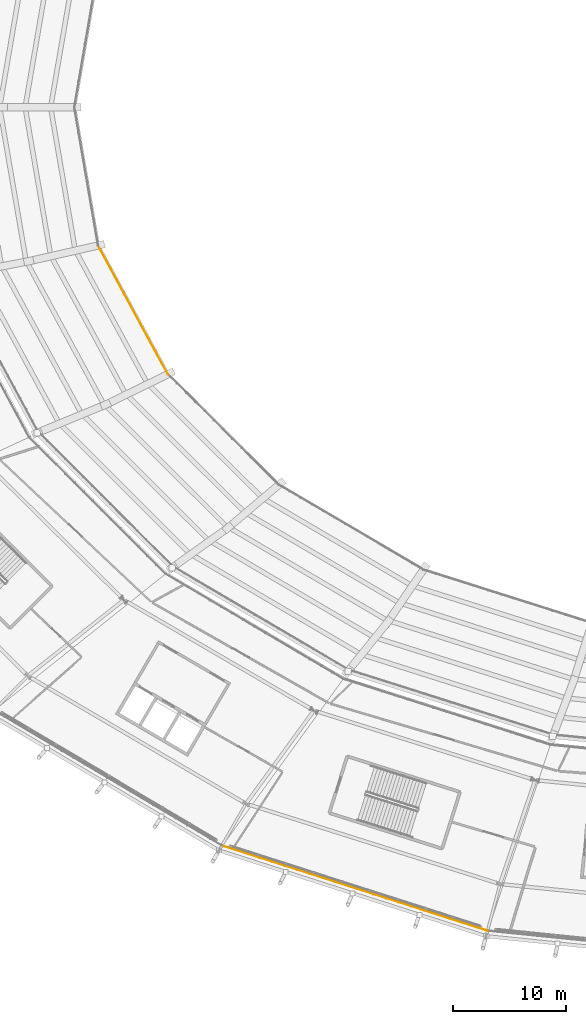
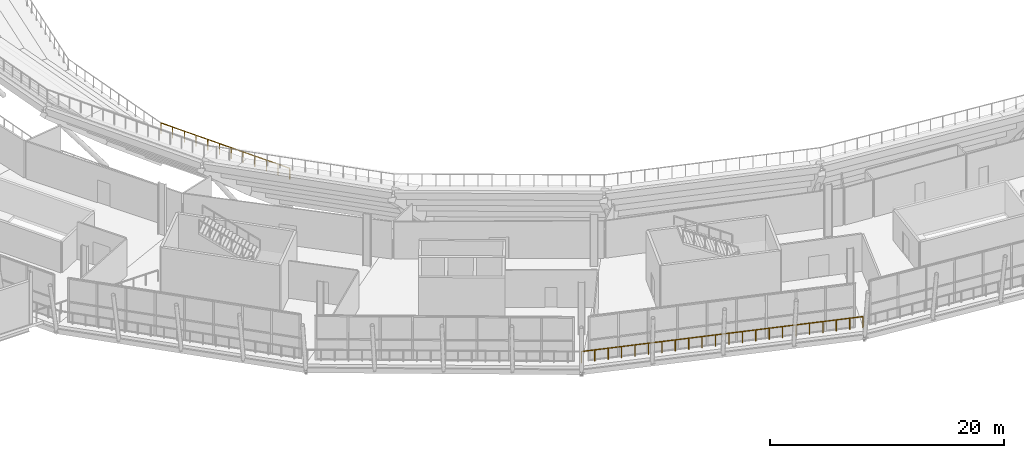
# One storey, part 108 of 126: 2 railings.
"""IFC4 building model written with IfcOpenShell, lengths in metres."""

from ifc_helpers import new_model, si_unit, direction, frame, origin, origin_2d, place, context, subcontext, project, spatial, rectangle, extrude, material, type_object, element, save


model = new_model("IFC4")

# Units and contexts
model_context = context("Model", 3, precision=1e-05, world=origin(), true_north=direction((0.0, 1.0)))
body_context = subcontext(model_context, "Body", "Model", "MODEL_VIEW")
ifc_project = project(units=[si_unit("LENGTHUNIT", "METRE"), si_unit("AREAUNIT", "SQUARE_METRE"), si_unit("VOLUMEUNIT", "CUBIC_METRE"), si_unit("PLANEANGLEUNIT", "RADIAN"), si_unit("MASSUNIT", "GRAM", prefix="KILO")], contexts=[model_context])

# Site, building, storey
site_placement = place(None, origin())
site = spatial("IfcSite", under=ifc_project, at=site_placement, CompositionType="ELEMENT")
building_placement = place(site_placement, origin())
building = spatial("IfcBuilding", under=site, at=building_placement, Name="Zlatoyarsky Gate Stadium", CompositionType="ELEMENT")
storey_placement = place(building_placement, frame((0.0, 0.0, 20.800048828125)))
storey = spatial("IfcBuildingStorey", under=building, at=storey_placement, Name="L04", CompositionType="ELEMENT", Elevation=20.800048828125)

# Railings
ifc_material_1 = material(Name="Galvanised steel sightline guardrail", Category="steel")
railing_type_1 = type_object("IfcRailingType", Name="BOWL FRONT SIGHTLINE GUARDRAIL 1150", PredefinedType="GUARDRAIL", material=ifc_material_1)
railing_1_placement = place(storey_placement, frame((51.45068359375, 67.796630859375, -4.400146484375)))
element("IfcRailing", 1, at=railing_1_placement, inside=storey, type_object=railing_type_1, Name="Upper bowl front guardrail 13", PredefinedType="GUARDRAIL", context=body_context, shape_type="SweptSolid", body=[
    extrude(rectangle(XDim=0.048095703125, YDim=0.048095703125, at=origin_2d()), frame((0.0, 0.0, 1.1259765625), z_axis=(0.476243009473, -0.879313707347, 0.0), x_axis=(0.879313707347, 0.476243009473, 0.0)), (0.0, 0.0, 1.0), 12.932373046875),
    extrude(rectangle(XDim=0.0419921875, YDim=0.0419921875, at=origin_2d()), origin(), (0.0, 0.0, 1.0), 1.101806640625),
    extrude(rectangle(XDim=0.0419921875, YDim=0.0419921875, at=origin_2d()), frame((0.559814453125, -1.03369140625, 0.0)), (0.0, 0.0, 1.0), 1.101806640625),
    extrude(rectangle(XDim=0.0419921875, YDim=0.0419921875, at=origin_2d()), frame((1.119873046875, -2.067626953125, 0.0)), (0.0, 0.0, 1.0), 1.101806640625),
    extrude(rectangle(XDim=0.0419921875, YDim=0.0419921875, at=origin_2d()), frame((1.6796875, -3.101318359375, 0.0)), (0.0, 0.0, 1.0), 1.101806640625),
    extrude(rectangle(XDim=0.0419921875, YDim=0.0419921875, at=origin_2d()), frame((2.239501953125, -4.135009765625, 0.0)), (0.0, 0.0, 1.0), 1.101806640625),
    extrude(rectangle(XDim=0.0419921875, YDim=0.0419921875, at=origin_2d()), frame((2.799560546875, -5.1689453125, 0.0)), (0.0, 0.0, 1.0), 1.101806640625),
    extrude(rectangle(XDim=0.0419921875, YDim=0.0419921875, at=origin_2d()), frame((3.359375, -6.20263671875, 0.0)), (0.0, 0.0, 1.0), 1.101806640625),
    extrude(rectangle(XDim=0.0419921875, YDim=0.0419921875, at=origin_2d()), frame((3.91943359375, -7.236572265625, 0.0)), (0.0, 0.0, 1.0), 1.101806640625),
    extrude(rectangle(XDim=0.0419921875, YDim=0.0419921875, at=origin_2d()), frame((4.479248046875, -8.270263671875, 0.0)), (0.0, 0.0, 1.0), 1.101806640625),
    extrude(rectangle(XDim=0.0419921875, YDim=0.0419921875, at=origin_2d()), frame((5.0390625, -9.303955078125, 0.0)), (0.0, 0.0, 1.0), 1.101806640625),
    extrude(rectangle(XDim=0.0419921875, YDim=0.0419921875, at=origin_2d()), frame((5.59912109375, -10.337890625, 0.0)), (0.0, 0.0, 1.0), 1.101806640625),
    extrude(rectangle(XDim=0.0419921875, YDim=0.0419921875, at=origin_2d()), frame((6.158935546875, -11.37158203125, 0.0)), (0.0, 0.0, 1.0), 1.101806640625),
])
ifc_material_2 = material(Name="Powder-coated steel tubular guardrail", Category="steel")
railing_type_2 = type_object("IfcRailingType", Name="CONCOURSE SLAB EDGE GUARDRAIL 1200", PredefinedType="GUARDRAIL", material=ifc_material_2)
railing_2_placement = place(storey_placement, frame((62.365234375, 14.814697265625, 0.0)))
element("IfcRailing", 2, at=railing_2_placement, inside=storey, type_object=railing_type_2, Name="L04 outer slab edge guardrail 16", PredefinedType="GUARDRAIL", context=body_context, shape_type="SweptSolid", body=[
    extrude(rectangle(XDim=0.048095703125, YDim=0.048095703125, at=origin_2d()), frame((0.0, 0.0, 1.17578125), z_axis=(0.95227674854, -0.305235964773, 0.0), x_axis=(0.305235964773, 0.95227674854, 0.0)), (0.0, 0.0, 1.0), 24.63525390625),
    extrude(rectangle(XDim=0.0419921875, YDim=0.0419921875, at=origin_2d()), origin(), (0.0, 0.0, 1.0), 1.15185546875),
    extrude(rectangle(XDim=0.0419921875, YDim=0.0419921875, at=origin_2d()), frame((1.1171875, -0.358154296875, 0.0)), (0.0, 0.0, 1.0), 1.15185546875),
    extrude(rectangle(XDim=0.0419921875, YDim=0.0419921875, at=origin_2d()), frame((2.234130859375, -0.716064453125, 0.0)), (0.0, 0.0, 1.0), 1.15185546875),
    extrude(rectangle(XDim=0.0419921875, YDim=0.0419921875, at=origin_2d()), frame((3.351318359375, -1.07421875, 0.0)), (0.0, 0.0, 1.0), 1.15185546875),
    extrude(rectangle(XDim=0.0419921875, YDim=0.0419921875, at=origin_2d()), frame((4.468505859375, -1.432373046875, 0.0)), (0.0, 0.0, 1.0), 1.15185546875),
    extrude(rectangle(XDim=0.0419921875, YDim=0.0419921875, at=origin_2d()), frame((5.585693359375, -1.790283203125, 0.0)), (0.0, 0.0, 1.0), 1.15185546875),
    extrude(rectangle(XDim=0.0419921875, YDim=0.0419921875, at=origin_2d()), frame((6.70263671875, -2.1484375, 0.0)), (0.0, 0.0, 1.0), 1.15185546875),
    extrude(rectangle(XDim=0.0419921875, YDim=0.0419921875, at=origin_2d()), frame((7.81982421875, -2.506591796875, 0.0)), (0.0, 0.0, 1.0), 1.15185546875),
    extrude(rectangle(XDim=0.0419921875, YDim=0.0419921875, at=origin_2d()), frame((8.93701171875, -2.864501953125, 0.0)), (0.0, 0.0, 1.0), 1.15185546875),
    extrude(rectangle(XDim=0.0419921875, YDim=0.0419921875, at=origin_2d()), frame((10.053955078125, -3.22265625, 0.0)), (0.0, 0.0, 1.0), 1.15185546875),
    extrude(rectangle(XDim=0.0419921875, YDim=0.0419921875, at=origin_2d()), frame((11.171142578125, -3.580810546875, 0.0)), (0.0, 0.0, 1.0), 1.15185546875),
    extrude(rectangle(XDim=0.0419921875, YDim=0.0419921875, at=origin_2d()), frame((12.288330078125, -3.938720703125, 0.0)), (0.0, 0.0, 1.0), 1.15185546875),
    extrude(rectangle(XDim=0.0419921875, YDim=0.0419921875, at=origin_2d()), frame((13.405517578125, -4.296875, 0.0)), (0.0, 0.0, 1.0), 1.15185546875),
    extrude(rectangle(XDim=0.0419921875, YDim=0.0419921875, at=origin_2d()), frame((14.5224609375, -4.655029296875, 0.0)), (0.0, 0.0, 1.0), 1.15185546875),
    extrude(rectangle(XDim=0.0419921875, YDim=0.0419921875, at=origin_2d()), frame((15.6396484375, -5.012939453125, 0.0)), (0.0, 0.0, 1.0), 1.15185546875),
    extrude(rectangle(XDim=0.0419921875, YDim=0.0419921875, at=origin_2d()), frame((16.7568359375, -5.37109375, 0.0)), (0.0, 0.0, 1.0), 1.15185546875),
    extrude(rectangle(XDim=0.0419921875, YDim=0.0419921875, at=origin_2d()), frame((17.873779296875, -5.729248046875, 0.0)), (0.0, 0.0, 1.0), 1.15185546875),
    extrude(rectangle(XDim=0.0419921875, YDim=0.0419921875, at=origin_2d()), frame((18.990966796875, -6.087158203125, 0.0)), (0.0, 0.0, 1.0), 1.15185546875),
    extrude(rectangle(XDim=0.0419921875, YDim=0.0419921875, at=origin_2d()), frame((20.108154296875, -6.4453125, 0.0)), (0.0, 0.0, 1.0), 1.15185546875),
    extrude(rectangle(XDim=0.0419921875, YDim=0.0419921875, at=origin_2d()), frame((21.225341796875, -6.803466796875, 0.0)), (0.0, 0.0, 1.0), 1.15185546875),
    extrude(rectangle(XDim=0.0419921875, YDim=0.0419921875, at=origin_2d()), frame((22.34228515625, -7.161376953125, 0.0)), (0.0, 0.0, 1.0), 1.15185546875),
    extrude(rectangle(XDim=0.0419921875, YDim=0.0419921875, at=origin_2d()), frame((23.45947265625, -7.51953125, 0.0)), (0.0, 0.0, 1.0), 1.15185546875),
])

save(model, "model.ifc")
